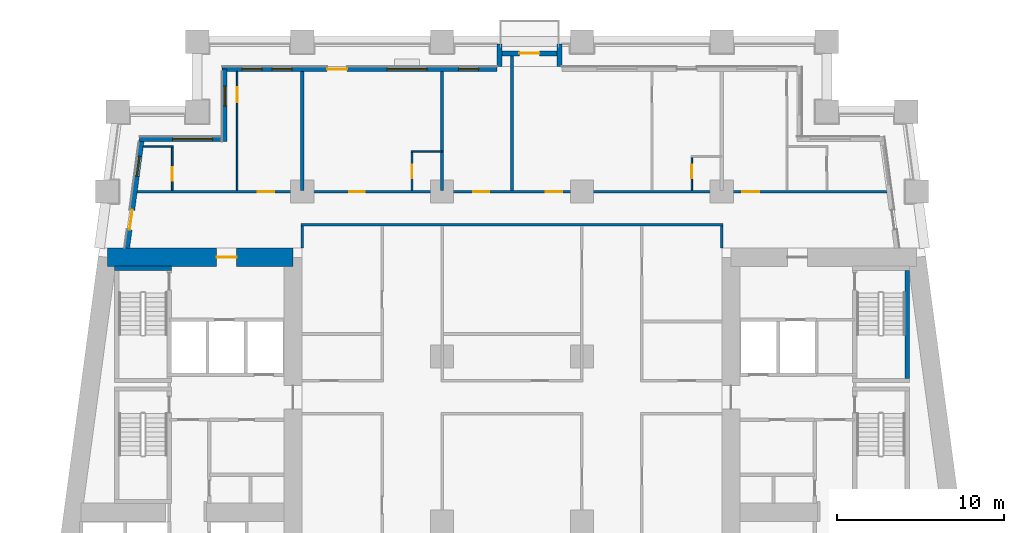
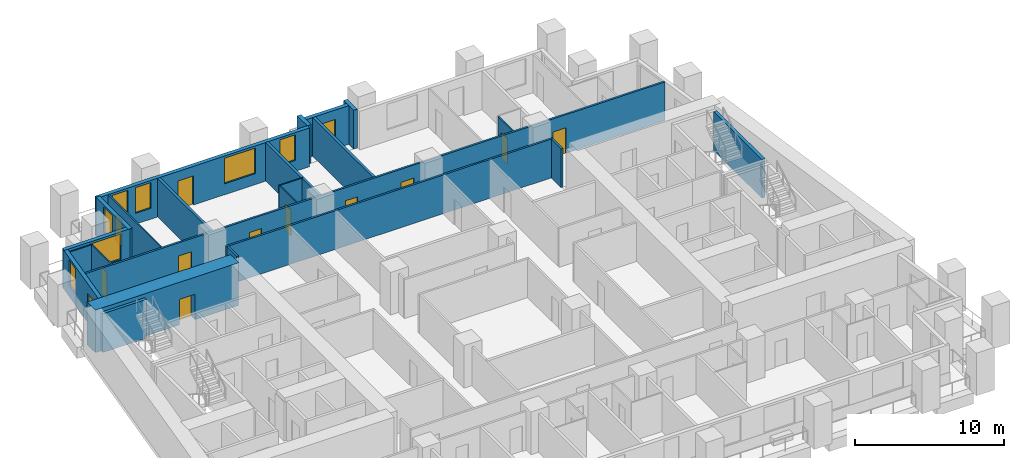
# One storey, part 6 of 12: 23 walls, 13 doors, 7 windows, 20 openings.
"""IFC4 building model written with IfcOpenShell, lengths in metres."""

from ifc_helpers import new_model, si_unit, direction, frame, frame_2d, origin, place, context, subcontext, project, spatial, rectangle, extrude, material, layer, layer_set, type_object, element, fill, save


model = new_model("IFC4")

# Units and contexts
model_context = context("Model", 3, precision=1e-05, world=origin(), true_north=direction((0.0, 1.0)))
body_context = subcontext(model_context, "Body", "Model", "MODEL_VIEW")
ifc_project = project(units=[si_unit("LENGTHUNIT", "METRE"), si_unit("AREAUNIT", "SQUARE_METRE"), si_unit("VOLUMEUNIT", "CUBIC_METRE"), si_unit("PLANEANGLEUNIT", "RADIAN"), si_unit("MASSUNIT", "GRAM", prefix="KILO")], contexts=[model_context])

# Site, building, storey
site_placement = place(None, origin())
site = spatial("IfcSite", under=ifc_project, at=site_placement, CompositionType="ELEMENT")
building_placement = place(site_placement, origin())
building = spatial("IfcBuilding", under=site, at=building_placement, Name="Candeia Pilgrim Tower and Theatre", CompositionType="ELEMENT")
storey_placement = place(building_placement, frame((0.0, 0.0, 42.5)))
storey = spatial("IfcBuildingStorey", under=building, at=storey_placement, Name="L07", CompositionType="ELEMENT", Elevation=42.5)

# Wall, opening, door
ifc_material_1 = material(Name="Concrete C80/95", Category="concrete")
ifc_layer_1 = layer(ifc_material_1, 1.10009765625)
ifc_layer_set_1 = layer_set([ifc_layer_1], Name="Core wall 1100 C80/95")
wall_type_1 = type_object("IfcWallType", Name="Core wall 1100 C80/95", PredefinedType="SHEAR", material=ifc_layer_set_1)
wall_1_placement = place(storey_placement, frame((89.111572265625, 131.85009765625, 0.0), z_axis=(0.0, 0.0, 1.0), x_axis=(1.0, 0.0, 0.0)))
wall_1 = element("IfcWall", 1, at=wall_1_placement, inside=storey, type_object=wall_type_1, Name="Core wall W1", PredefinedType="SHEAR", context=body_context, shape_type="SweptSolid", body=[
    extrude(rectangle(XDim=11.138427734375, YDim=1.10009765625, at=frame_2d((5.5693359375, 0.0))), origin(), (0.0, 0.0, 1.0), 3.5),
])
opening_1_placement = place(wall_1_placement, frame((6.5517578125, 0.0, 0.0)))
opening_1 = element("IfcOpeningElement", 2, at=opening_1_placement, cuts=wall_1, Name="Opening L07-D056", PredefinedType="OPENING", context=body_context, shape_type="SweptSolid", body=[
    extrude(rectangle(XDim=1.199951171875, YDim=2.10009765625, at=frame_2d((0.60009765625, 1.050048828125))), frame((0.0, 0.56005859375, 0.0), z_axis=(0.0, -1.0, 0.0), x_axis=(1.0, 0.0, 0.0)), (0.0, 0.0, 1.0), 1.1201171875),
])
ifc_material_2 = material(Name="Steel fire door set", Category="steel")
door_type_1 = type_object("IfcDoorType", Name="D-1200-FD60", OperationType="NOTDEFINED", PredefinedType="DOOR", material=ifc_material_2)
door_1_placement = place(opening_1_placement, origin())
door_1 = element("IfcDoor", 3, at=door_1_placement, inside=storey, type_object=door_type_1, Name="Door L07-D056", OperationType="SINGLE_SWING_LEFT", OverallHeight=2.10009765625, OverallWidth=1.199951171875, PredefinedType="DOOR", context=body_context, shape_type="SweptSolid", body=[
    extrude(rectangle(XDim=1.199951171875, YDim=2.10009765625, at=frame_2d((0.60009765625, 1.050048828125))), frame((0.0, 0.02490234375, 0.0), z_axis=(0.0, -1.0, 0.0), x_axis=(1.0, 0.0, 0.0)), (0.0, 0.0, 1.0), 0.050048828125),
])
fill(opening_1, door_1)

# Wall, openings, door, windows
ifc_material_3 = material(Name="Ceramic block masonry", Category="masonry")
ifc_layer_2 = layer(ifc_material_3, 0.300048828125)
ifc_layer_set_2 = layer_set([ifc_layer_2], Name="EW1 glazing-line wall 300")
wall_type_2 = type_object("IfcWallType", Name="EW1 glazing-line wall 300", PredefinedType="SOLIDWALL", material=ifc_layer_set_2)
wall_2_placement = place(storey_placement, frame((112.5, 143.14990234375, 0.0), z_axis=(0.0, 0.0, 1.0), x_axis=(-1.0, 0.0, 0.0)))
wall_2 = element("IfcWall", 4, at=wall_2_placement, inside=storey, type_object=wall_type_2, Name="External wall L07-6.1", PredefinedType="SOLIDWALL", context=body_context, shape_type="SweptSolid", body=[
    extrude(rectangle(XDim=16.5, YDim=0.300048828125, at=frame_2d((8.25, 0.0))), origin(), (0.0, 0.0, 1.0), 3.179931640625),
])
opening_2_placement = place(wall_2_placement, frame((1.10009765625, 0.0, 0.89990234375)))
opening_2 = element("IfcOpeningElement", 5, at=opening_2_placement, cuts=wall_2, Name="Opening W-B", PredefinedType="OPENING", context=body_context, shape_type="SweptSolid", body=[
    extrude(rectangle(XDim=1.199951171875, YDim=2.10009765625, at=frame_2d((0.60009765625, 1.050048828125))), frame((0.0, 0.16015625, 0.0), z_axis=(0.0, -1.0, 0.0), x_axis=(1.0, 0.0, 0.0)), (0.0, 0.0, 1.0), 0.320068359375),
])
opening_3_placement = place(wall_2_placement, frame((4.199951171875, 0.0, 0.89990234375)))
opening_3 = element("IfcOpeningElement", 6, at=opening_3_placement, cuts=wall_2, Name="Opening W-A", PredefinedType="OPENING", context=body_context, shape_type="SweptSolid", body=[
    extrude(rectangle(XDim=2.39990234375, YDim=2.10009765625, at=frame_2d((1.199951171875, 1.050048828125))), frame((0.0, 0.16015625, 0.0), z_axis=(0.0, -1.0, 0.0), x_axis=(1.0, 0.0, 0.0)), (0.0, 0.0, 1.0), 0.320068359375),
])
opening_4_placement = place(wall_2_placement, frame((9.0, 0.0, 0.0)))
opening_4 = element("IfcOpeningElement", 7, at=opening_4_placement, cuts=wall_2, Name="Opening L07-ED096", PredefinedType="OPENING", context=body_context, shape_type="SweptSolid", body=[
    extrude(rectangle(XDim=1.199951171875, YDim=2.39990234375, at=frame_2d((0.60009765625, 1.199951171875))), frame((0.0, 0.16015625, 0.0), z_axis=(0.0, -1.0, 0.0), x_axis=(1.0, 0.0, 0.0)), (0.0, 0.0, 1.0), 0.320068359375),
])
opening_5_placement = place(wall_2_placement, frame((12.300048828125, 0.0, 0.89990234375)))
opening_5 = element("IfcOpeningElement", 8, at=opening_5_placement, cuts=wall_2, Name="Opening W-B", PredefinedType="OPENING", context=body_context, shape_type="SweptSolid", body=[
    extrude(rectangle(XDim=1.199951171875, YDim=2.10009765625, at=frame_2d((0.60009765625, 1.050048828125))), frame((0.0, 0.16015625, 0.0), z_axis=(0.0, -1.0, 0.0), x_axis=(1.0, 0.0, 0.0)), (0.0, 0.0, 1.0), 0.320068359375),
])
opening_6_placement = place(wall_2_placement, frame((14.10009765625, 0.0, 0.89990234375)))
opening_6 = element("IfcOpeningElement", 9, at=opening_6_placement, cuts=wall_2, Name="Opening W-B", PredefinedType="OPENING", context=body_context, shape_type="SweptSolid", body=[
    extrude(rectangle(XDim=1.199951171875, YDim=2.10009765625, at=frame_2d((0.60009765625, 1.050048828125))), frame((0.0, 0.16015625, 0.0), z_axis=(0.0, -1.0, 0.0), x_axis=(1.0, 0.0, 0.0)), (0.0, 0.0, 1.0), 0.320068359375),
])
ifc_material_4 = material(Name="Aluminium framed glazed door", Category="aluminium")
door_type_2 = type_object("IfcDoorType", Name="Loggia door 1200x2400", OperationType="DOUBLE_DOOR_SINGLE_SWING", PredefinedType="DOOR", material=ifc_material_4)
door_2_placement = place(opening_4_placement, origin())
door_2 = element("IfcDoor", 10, at=door_2_placement, inside=storey, type_object=door_type_2, Name="Loggia door L07-ED096", OperationType="DOUBLE_DOOR_SINGLE_SWING", OverallHeight=2.39990234375, OverallWidth=1.199951171875, PredefinedType="DOOR", context=body_context, shape_type="SweptSolid", body=[
    extrude(rectangle(XDim=1.199951171875, YDim=2.39990234375, at=frame_2d((0.60009765625, 1.199951171875))), frame((0.0, 0.02490234375, 0.0), z_axis=(0.0, -1.0, 0.0), x_axis=(1.0, 0.0, 0.0)), (0.0, 0.0, 1.0), 0.050048828125),
])
fill(opening_4, door_2)
ifc_material_5 = material(Name="Aluminium framed double glazing", Category="aluminium")
window_type_1 = type_object("IfcWindowType", Name="W-A window 2400x2100", PartitioningType="DOUBLE_PANEL_VERTICAL", PredefinedType="WINDOW", material=ifc_material_5)
window_1_placement = place(opening_3_placement, origin())
window_1 = element("IfcWindow", 11, at=window_1_placement, inside=storey, type_object=window_type_1, Name="Window W-A L07", OverallHeight=2.10009765625, OverallWidth=2.39990234375, PartitioningType="SINGLE_PANEL", PredefinedType="WINDOW", context=body_context, shape_type="SweptSolid", body=[
    extrude(rectangle(XDim=2.39990234375, YDim=2.10009765625, at=frame_2d((1.199951171875, 1.050048828125))), frame((0.0, 0.030029296875, 0.0), z_axis=(0.0, -1.0, 0.0), x_axis=(1.0, 0.0, 0.0)), (0.0, 0.0, 1.0), 0.06005859375),
])
fill(opening_3, window_1)
window_type_2 = type_object("IfcWindowType", Name="W-B window 1200x2100", PartitioningType="SINGLE_PANEL", PredefinedType="WINDOW", material=ifc_material_5)
window_2_placement = place(opening_2_placement, origin())
window_2 = element("IfcWindow", 12, at=window_2_placement, inside=storey, type_object=window_type_2, Name="Window W-B L07", OverallHeight=2.10009765625, OverallWidth=1.199951171875, PartitioningType="SINGLE_PANEL", PredefinedType="WINDOW", context=body_context, shape_type="SweptSolid", body=[
    extrude(rectangle(XDim=1.199951171875, YDim=2.10009765625, at=frame_2d((0.60009765625, 1.050048828125))), frame((0.0, 0.030029296875, 0.0), z_axis=(0.0, -1.0, 0.0), x_axis=(1.0, 0.0, 0.0)), (0.0, 0.0, 1.0), 0.06005859375),
])
fill(opening_2, window_2)
window_3_placement = place(opening_5_placement, origin())
window_3 = element("IfcWindow", 13, at=window_3_placement, inside=storey, type_object=window_type_2, Name="Window W-B L07", OverallHeight=2.10009765625, OverallWidth=1.199951171875, PartitioningType="SINGLE_PANEL", PredefinedType="WINDOW", context=body_context, shape_type="SweptSolid", body=[
    extrude(rectangle(XDim=1.199951171875, YDim=2.10009765625, at=frame_2d((0.60009765625, 1.050048828125))), frame((0.0, 0.030029296875, 0.0), z_axis=(0.0, -1.0, 0.0), x_axis=(1.0, 0.0, 0.0)), (0.0, 0.0, 1.0), 0.06005859375),
])
fill(opening_5, window_3)
window_4_placement = place(opening_6_placement, origin())
window_4 = element("IfcWindow", 14, at=window_4_placement, inside=storey, type_object=window_type_2, Name="Window W-B L07", OverallHeight=2.10009765625, OverallWidth=1.199951171875, PartitioningType="SINGLE_PANEL", PredefinedType="WINDOW", context=body_context, shape_type="SweptSolid", body=[
    extrude(rectangle(XDim=1.199951171875, YDim=2.10009765625, at=frame_2d((0.60009765625, 1.050048828125))), frame((0.0, 0.030029296875, 0.0), z_axis=(0.0, -1.0, 0.0), x_axis=(1.0, 0.0, 0.0)), (0.0, 0.0, 1.0), 0.06005859375),
])
fill(opening_6, window_4)

# Wall, opening, window
wall_3_placement = place(storey_placement, frame((96.14990234375, 143.14990234375, 0.0), z_axis=(0.0, 0.0, 1.0), x_axis=(0.0, -1.0, 0.0)))
wall_3 = element("IfcWall", 15, at=wall_3_placement, inside=storey, type_object=wall_type_2, Name="External wall L07-7.0", PredefinedType="SOLIDWALL", context=body_context, shape_type="SweptSolid", body=[
    extrude(rectangle(XDim=4.349853515625, YDim=0.300048828125, at=frame_2d((2.1748046875, 0.0))), origin(), (0.0, 0.0, 1.0), 3.179931640625),
])
opening_7_placement = place(wall_3_placement, frame((1.02490234375, 0.0, 0.89990234375)))
opening_7 = element("IfcOpeningElement", 16, at=opening_7_placement, cuts=wall_3, Name="Opening W-B", PredefinedType="OPENING", context=body_context, shape_type="SweptSolid", body=[
    extrude(rectangle(XDim=1.199951171875, YDim=2.10009765625, at=frame_2d((0.60009765625, 1.050048828125))), frame((0.0, 0.16015625, 0.0), z_axis=(0.0, -1.0, 0.0), x_axis=(1.0, 0.0, 0.0)), (0.0, 0.0, 1.0), 0.320068359375),
])
window_5_placement = place(opening_7_placement, origin())
window_5 = element("IfcWindow", 17, at=window_5_placement, inside=storey, type_object=window_type_2, Name="Window W-B L07", OverallHeight=2.10009765625, OverallWidth=1.199951171875, PartitioningType="SINGLE_PANEL", PredefinedType="WINDOW", context=body_context, shape_type="SweptSolid", body=[
    extrude(rectangle(XDim=1.199951171875, YDim=2.10009765625, at=frame_2d((0.60009765625, 1.050048828125))), frame((0.0, 0.030029296875, 0.0), z_axis=(0.0, -1.0, 0.0), x_axis=(1.0, 0.0, 0.0)), (0.0, 0.0, 1.0), 0.06005859375),
])
fill(opening_7, window_5)

wall_4_placement = place(storey_placement, frame((96.14990234375, 138.949951171875, 0.0), z_axis=(0.0, 0.0, 1.0), x_axis=(-1.0, 0.0, 0.0)))
wall_4 = element("IfcWall", 18, at=wall_4_placement, inside=storey, type_object=wall_type_2, Name="External wall L07-8.0", PredefinedType="SOLIDWALL", context=body_context, shape_type="SweptSolid", body=[
    extrude(rectangle(XDim=5.103759765625, YDim=0.300048828125, at=frame_2d((2.5517578125, 0.0))), origin(), (0.0, 0.0, 1.0), 3.179931640625),
])
opening_8_placement = place(wall_4_placement, frame((0.72509765625, 0.0, 0.89990234375)))
opening_8 = element("IfcOpeningElement", 19, at=opening_8_placement, cuts=wall_4, Name="Opening W-A", PredefinedType="OPENING", context=body_context, shape_type="SweptSolid", body=[
    extrude(rectangle(XDim=2.39990234375, YDim=2.10009765625, at=frame_2d((1.199951171875, 1.050048828125))), frame((0.0, 0.16015625, 0.0), z_axis=(0.0, -1.0, 0.0), x_axis=(1.0, 0.0, 0.0)), (0.0, 0.0, 1.0), 0.320068359375),
])
window_6_placement = place(opening_8_placement, origin())
window_6 = element("IfcWindow", 20, at=window_6_placement, inside=storey, type_object=window_type_1, Name="Window W-A L07", OverallHeight=2.10009765625, OverallWidth=2.39990234375, PartitioningType="SINGLE_PANEL", PredefinedType="WINDOW", context=body_context, shape_type="SweptSolid", body=[
    extrude(rectangle(XDim=2.39990234375, YDim=2.10009765625, at=frame_2d((1.199951171875, 1.050048828125))), frame((0.0, 0.030029296875, 0.0), z_axis=(0.0, -1.0, 0.0), x_axis=(1.0, 0.0, 0.0)), (0.0, 0.0, 1.0), 0.06005859375),
])
fill(opening_8, window_6)

# Wall, openings, door, window
wall_5_placement = place(storey_placement, frame((91.177490234375, 138.949951171875, 0.0), z_axis=(0.0, 0.0, 1.0), x_axis=(-0.133426664613, -0.991058689065, 0.0)))
wall_5 = element("IfcWall", 21, at=wall_5_placement, inside=storey, type_object=wall_type_2, Name="External wall L07-9.0", PredefinedType="SOLIDWALL", context=body_context, shape_type="SweptSolid", body=[
    extrude(rectangle(XDim=6.609130859375, YDim=0.300048828125, at=frame_2d((3.3046875, 0.0))), origin(), (0.0, 0.0, 1.0), 3.179931640625),
])
opening_9_placement = place(wall_5_placement, frame((1.039306640625, 0.0, 0.89990234375)))
opening_9 = element("IfcOpeningElement", 22, at=opening_9_placement, cuts=wall_5, Name="Opening W-B", PredefinedType="OPENING", context=body_context, shape_type="SweptSolid", body=[
    extrude(rectangle(XDim=1.199951171875, YDim=2.10009765625, at=frame_2d((0.60009765625, 1.050048828125))), frame((0.0, 0.16015625, 0.0), z_axis=(0.0, -1.0, 0.0), x_axis=(1.0, 0.0, 0.0)), (0.0, 0.0, 1.0), 0.320068359375),
])
opening_10_placement = place(wall_5_placement, frame((4.293701171875, 0.0, 0.0)))
opening_10 = element("IfcOpeningElement", 23, at=opening_10_placement, cuts=wall_5, Name="Opening L07-ED098", PredefinedType="OPENING", context=body_context, shape_type="SweptSolid", body=[
    extrude(rectangle(XDim=1.199951171875, YDim=2.39990234375, at=frame_2d((0.60009765625, 1.199951171875))), frame((0.0, 0.16015625, 0.0), z_axis=(0.0, -1.0, 0.0), x_axis=(1.0, 0.0, 0.0)), (0.0, 0.0, 1.0), 0.320068359375),
])
door_3_placement = place(opening_10_placement, origin())
door_3 = element("IfcDoor", 24, at=door_3_placement, inside=storey, type_object=door_type_2, Name="Loggia door L07-ED098", OperationType="DOUBLE_DOOR_SINGLE_SWING", OverallHeight=2.39990234375, OverallWidth=1.199951171875, PredefinedType="DOOR", context=body_context, shape_type="SweptSolid", body=[
    extrude(rectangle(XDim=1.199951171875, YDim=2.39990234375, at=frame_2d((0.60009765625, 1.199951171875))), frame((0.0, 0.02490234375, 0.0), z_axis=(0.0, -1.0, 0.0), x_axis=(1.0, 0.0, 0.0)), (0.0, 0.0, 1.0), 0.050048828125),
])
fill(opening_10, door_3)
window_7_placement = place(opening_9_placement, origin())
window_7 = element("IfcWindow", 25, at=window_7_placement, inside=storey, type_object=window_type_2, Name="Window W-B L07", OverallHeight=2.10009765625, OverallWidth=1.199951171875, PartitioningType="SINGLE_PANEL", PredefinedType="WINDOW", context=body_context, shape_type="SweptSolid", body=[
    extrude(rectangle(XDim=1.199951171875, YDim=2.10009765625, at=frame_2d((0.60009765625, 1.050048828125))), frame((0.0, 0.030029296875, 0.0), z_axis=(0.0, -1.0, 0.0), x_axis=(1.0, 0.0, 0.0)), (0.0, 0.0, 1.0), 0.06005859375),
])
fill(opening_9, window_7)

# Walls
ifc_layer_3 = layer(ifc_material_3, 0.300048828125)
ifc_layer_set_3 = layer_set([ifc_layer_3], Name="EW2 entrance infill wall 300")
wall_type_3 = type_object("IfcWallType", Name="EW2 entrance infill wall 300", PredefinedType="SOLIDWALL", material=ifc_layer_set_3)
for number, where, z_axis, x_axis, name in (
    (26, (116.25, 143.300048828125, 0.0), (0.0, 0.0, 1.0), (0.0, 1.0, 0.0), "Alcove wall L07"),
    (27, (112.64990234375, 143.300048828125, 0.0), (0.0, 0.0, 1.0), (0.0, 1.0, 0.0), "Alcove wall L07"),
):
    element("IfcWall", number, at=place(storey_placement, frame(where, z_axis=z_axis, x_axis=x_axis)), inside=storey, type_object=wall_type_3, Name=name, PredefinedType="SOLIDWALL", context=body_context, shape_type="SweptSolid", body=[
        extrude(rectangle(XDim=1.349853515625, YDim=0.300048828125, at=frame_2d((0.6748046875, 0.0))), origin(), (0.0, 0.0, 1.0), 3.179931640625),
    ])

# Wall, opening, door
wall_6_placement = place(storey_placement, frame((116.39990234375, 144.10009765625, 0.0), z_axis=(0.0, 0.0, 1.0), x_axis=(-1.0, 0.0, 0.0)))
wall_6 = element("IfcWall", 28, at=wall_6_placement, inside=storey, type_object=wall_type_3, Name="Alcove wall L07", PredefinedType="SOLIDWALL", context=body_context, shape_type="SweptSolid", body=[
    extrude(rectangle(XDim=3.89990234375, YDim=0.300048828125, at=frame_2d((1.949951171875, 0.0))), origin(), (0.0, 0.0, 1.0), 3.179931640625),
])
opening_11_placement = place(wall_6_placement, frame((1.35009765625, 0.0, 0.0)))
opening_11 = element("IfcOpeningElement", 29, at=opening_11_placement, cuts=wall_6, Name="Opening L07-ED097", PredefinedType="OPENING", context=body_context, shape_type="SweptSolid", body=[
    extrude(rectangle(XDim=1.199951171875, YDim=2.39990234375, at=frame_2d((0.60009765625, 1.199951171875))), frame((0.0, 0.16015625, 0.0), z_axis=(0.0, -1.0, 0.0), x_axis=(1.0, 0.0, 0.0)), (0.0, 0.0, 1.0), 0.320068359375),
])
door_4_placement = place(opening_11_placement, origin())
door_4 = element("IfcDoor", 30, at=door_4_placement, inside=storey, type_object=door_type_2, Name="Balcony door L07-ED097", OperationType="DOUBLE_DOOR_SINGLE_SWING", OverallHeight=2.39990234375, OverallWidth=1.199951171875, PredefinedType="DOOR", context=body_context, shape_type="SweptSolid", body=[
    extrude(rectangle(XDim=1.199951171875, YDim=2.39990234375, at=frame_2d((0.60009765625, 1.199951171875))), frame((0.0, 0.02490234375, 0.0), z_axis=(0.0, -1.0, 0.0), x_axis=(1.0, 0.0, 0.0)), (0.0, 0.0, 1.0), 0.050048828125),
])
fill(opening_11, door_4)

# Walls
ifc_material_6 = material(Name="Gypsum board partition on steel studs", Category="steel")
ifc_layer_4 = layer(ifc_material_6, 0.10009765625)
ifc_layer_set_4 = layer_set([ifc_layer_4], Name="PW-100 room partition")
wall_type_4 = type_object("IfcWallType", Name="PW-100 room partition", PredefinedType="PARTITIONING", material=ifc_layer_set_4)
wall_7_placement = place(storey_placement, frame((107.35009765625, 138.199951171875, 0.0), z_axis=(0.0, 0.0, 1.0), x_axis=(1.0, 0.0, 0.0)))
element("IfcWall", 31, at=wall_7_placement, inside=storey, type_object=wall_type_4, Name="Room partition L07-048", PredefinedType="PARTITIONING", context=body_context, shape_type="SweptSolid", body=[
    extrude(rectangle(XDim=1.849853515625, YDim=0.10009765625, at=frame_2d((0.9248046875, 0.0))), origin(), (0.0, 0.0, 1.0), 3.179931640625),
])
wall_8_placement = place(storey_placement, frame((91.258056640625, 138.5, 0.0), z_axis=(0.0, 0.0, 1.0), x_axis=(1.0, 0.0, 0.0)))
element("IfcWall", 32, at=wall_8_placement, inside=storey, type_object=wall_type_4, Name="Room partition L07-049", PredefinedType="PARTITIONING", context=body_context, shape_type="SweptSolid", body=[
    extrude(rectangle(XDim=1.7919921875, YDim=0.10009765625, at=frame_2d((0.89599609375, 0.0))), origin(), (0.0, 0.0, 1.0), 3.179931640625),
])

# Wall, opening, door
wall_9_placement = place(storey_placement, frame((93.0, 135.875, 0.0), z_axis=(0.0, 0.0, 1.0), x_axis=(0.0, 1.0, 0.0)))
wall_9 = element("IfcWall", 33, at=wall_9_placement, inside=storey, type_object=wall_type_4, Name="Room partition L07-063", PredefinedType="PARTITIONING", context=body_context, shape_type="SweptSolid", body=[
    extrude(rectangle(XDim=2.574951171875, YDim=0.10009765625, at=frame_2d((1.28759765625, 0.0))), origin(), (0.0, 0.0, 1.0), 3.179931640625),
])
opening_12_placement = place(wall_9_placement, frame((0.574951171875, 0.0, 0.0)))
opening_12 = element("IfcOpeningElement", 34, at=opening_12_placement, cuts=wall_9, Name="Opening L07-D033", PredefinedType="OPENING", context=body_context, shape_type="SweptSolid", body=[
    extrude(rectangle(XDim=0.800048828125, YDim=2.10009765625, at=frame_2d((0.39990234375, 1.050048828125))), frame((0.0, 0.06005859375, 0.0), z_axis=(0.0, -1.0, 0.0), x_axis=(1.0, 0.0, 0.0)), (0.0, 0.0, 1.0), 0.1201171875),
])
ifc_material_7 = material(Name="Timber door leaf", Category="wood")
door_type_3 = type_object("IfcDoorType", Name="D-800", OperationType="NOTDEFINED", PredefinedType="DOOR", material=ifc_material_7)
door_5_placement = place(opening_12_placement, origin())
door_5 = element("IfcDoor", 35, at=door_5_placement, inside=storey, type_object=door_type_3, Name="Door L07-D033", OperationType="SINGLE_SWING_RIGHT", OverallHeight=2.10009765625, OverallWidth=0.800048828125, PredefinedType="DOOR", context=body_context, shape_type="SweptSolid", body=[
    extrude(rectangle(XDim=0.800048828125, YDim=2.10009765625, at=frame_2d((0.39990234375, 1.050048828125))), frame((0.0, 0.02490234375, 0.0), z_axis=(0.0, -1.0, 0.0), x_axis=(1.0, 0.0, 0.0)), (0.0, 0.0, 1.0), 0.050048828125),
])
fill(opening_12, door_5)

wall_10_placement = place(storey_placement, frame((96.89990234375, 135.875, 0.0), z_axis=(0.0, 0.0, 1.0), x_axis=(0.0, 1.0, 0.0)))
wall_10 = element("IfcWall", 36, at=wall_10_placement, inside=storey, type_object=wall_type_4, Name="Room partition L07-069", PredefinedType="PARTITIONING", context=body_context, shape_type="SweptSolid", body=[
    extrude(rectangle(XDim=7.135009765625, YDim=0.10009765625, at=frame_2d((3.5673828125, 0.0))), origin(), (0.0, 0.0, 1.0), 3.179931640625),
])
opening_13_placement = place(wall_10_placement, frame((5.2900390625, 0.0, 0.0)))
opening_13 = element("IfcOpeningElement", 37, at=opening_13_placement, cuts=wall_10, Name="Opening L07-D032", PredefinedType="OPENING", context=body_context, shape_type="SweptSolid", body=[
    extrude(rectangle(XDim=0.89990234375, YDim=2.10009765625, at=frame_2d((0.449951171875, 1.050048828125))), frame((0.0, 0.06005859375, 0.0), z_axis=(0.0, -1.0, 0.0), x_axis=(1.0, 0.0, 0.0)), (0.0, 0.0, 1.0), 0.1201171875),
])
door_type_4 = type_object("IfcDoorType", Name="D-900", OperationType="NOTDEFINED", PredefinedType="DOOR", material=ifc_material_7)
door_6_placement = place(opening_13_placement, origin())
door_6 = element("IfcDoor", 38, at=door_6_placement, inside=storey, type_object=door_type_4, Name="Door L07-D032", OperationType="SINGLE_SWING_LEFT", OverallHeight=2.10009765625, OverallWidth=0.89990234375, PredefinedType="DOOR", context=body_context, shape_type="SweptSolid", body=[
    extrude(rectangle(XDim=0.89990234375, YDim=2.10009765625, at=frame_2d((0.449951171875, 1.050048828125))), frame((0.0, 0.02490234375, 0.0), z_axis=(0.0, -1.0, 0.0), x_axis=(1.0, 0.0, 0.0)), (0.0, 0.0, 1.0), 0.050048828125),
])
fill(opening_13, door_6)

wall_11_placement = place(storey_placement, frame((107.39990234375, 135.875, 0.0), z_axis=(0.0, 0.0, 1.0), x_axis=(0.0, 1.0, 0.0)))
wall_11 = element("IfcWall", 39, at=wall_11_placement, inside=storey, type_object=wall_type_4, Name="Room partition L07-080", PredefinedType="PARTITIONING", context=body_context, shape_type="SweptSolid", body=[
    extrude(rectangle(XDim=2.27490234375, YDim=0.10009765625, at=frame_2d((1.137451171875, 0.0))), origin(), (0.0, 0.0, 1.0), 3.179931640625),
])
opening_14_placement = place(wall_11_placement, frame((0.72509765625, 0.0, 0.0)))
opening_14 = element("IfcOpeningElement", 40, at=opening_14_placement, cuts=wall_11, Name="Opening L07-D035", PredefinedType="OPENING", context=body_context, shape_type="SweptSolid", body=[
    extrude(rectangle(XDim=0.800048828125, YDim=2.10009765625, at=frame_2d((0.39990234375, 1.050048828125))), frame((0.0, 0.06005859375, 0.0), z_axis=(0.0, -1.0, 0.0), x_axis=(1.0, 0.0, 0.0)), (0.0, 0.0, 1.0), 0.1201171875),
])
door_7_placement = place(opening_14_placement, origin())
door_7 = element("IfcDoor", 41, at=door_7_placement, inside=storey, type_object=door_type_3, Name="Door L07-D035", OperationType="SINGLE_SWING_RIGHT", OverallHeight=2.10009765625, OverallWidth=0.800048828125, PredefinedType="DOOR", context=body_context, shape_type="SweptSolid", body=[
    extrude(rectangle(XDim=0.800048828125, YDim=2.10009765625, at=frame_2d((0.39990234375, 1.050048828125))), frame((0.0, 0.02490234375, 0.0), z_axis=(0.0, -1.0, 0.0), x_axis=(1.0, 0.0, 0.0)), (0.0, 0.0, 1.0), 0.050048828125),
])
fill(opening_14, door_7)

wall_12_placement = place(storey_placement, frame((124.199951171875, 135.875, 0.0), z_axis=(0.0, 0.0, 1.0), x_axis=(0.0, 1.0, 0.0)))
wall_12 = element("IfcWall", 42, at=wall_12_placement, inside=storey, type_object=wall_type_4, Name="Room partition L07-097", PredefinedType="PARTITIONING", context=body_context, shape_type="SweptSolid", body=[
    extrude(rectangle(XDim=1.97509765625, YDim=0.10009765625, at=frame_2d((0.987548828125, 0.0))), origin(), (0.0, 0.0, 1.0), 3.179931640625),
])
opening_15_placement = place(wall_12_placement, frame((0.72509765625, 0.0, 0.0)))
opening_15 = element("IfcOpeningElement", 43, at=opening_15_placement, cuts=wall_12, Name="Opening L07-D039", PredefinedType="OPENING", context=body_context, shape_type="SweptSolid", body=[
    extrude(rectangle(XDim=0.800048828125, YDim=2.10009765625, at=frame_2d((0.39990234375, 1.050048828125))), frame((0.0, 0.06005859375, 0.0), z_axis=(0.0, -1.0, 0.0), x_axis=(1.0, 0.0, 0.0)), (0.0, 0.0, 1.0), 0.1201171875),
])
door_8_placement = place(opening_15_placement, origin())
door_8 = element("IfcDoor", 44, at=door_8_placement, inside=storey, type_object=door_type_3, Name="Door L07-D039", OperationType="SINGLE_SWING_RIGHT", OverallHeight=2.10009765625, OverallWidth=0.800048828125, PredefinedType="DOOR", context=body_context, shape_type="SweptSolid", body=[
    extrude(rectangle(XDim=0.800048828125, YDim=2.10009765625, at=frame_2d((0.39990234375, 1.050048828125))), frame((0.0, 0.02490234375, 0.0), z_axis=(0.0, -1.0, 0.0), x_axis=(1.0, 0.0, 0.0)), (0.0, 0.0, 1.0), 0.050048828125),
])
fill(opening_15, door_8)

# Wall
ifc_layer_5 = layer(ifc_material_6, 0.14990234375)
ifc_layer_set_5 = layer_set([ifc_layer_5], Name="PW-150 unit wall")
wall_type_5 = type_object("IfcWallType", Name="PW-150 unit wall", PredefinedType="PARTITIONING", material=ifc_layer_set_5)
wall_13_placement = place(storey_placement, frame((100.72509765625, 133.800048828125, 0.0), z_axis=(0.0, 0.0, 1.0), x_axis=(1.0, 0.0, 0.0)))
element("IfcWall", 45, at=wall_13_placement, inside=storey, type_object=wall_type_5, Name="Unit wall L07-045", PredefinedType="PARTITIONING", context=body_context, shape_type="SweptSolid", body=[
    extrude(rectangle(XDim=25.349853515625, YDim=0.14990234375, at=frame_2d((12.6748046875, 0.0))), origin(), (0.0, 0.0, 1.0), 3.179931640625),
])

# Wall, openings, doors
wall_14_placement = place(storey_placement, frame((90.89453125, 135.800048828125, 0.0), z_axis=(0.0, 0.0, 1.0), x_axis=(1.0, 0.0, 0.0)))
wall_14 = element("IfcWall", 46, at=wall_14_placement, inside=storey, type_object=wall_type_5, Name="Unit wall L07-046", PredefinedType="PARTITIONING", context=body_context, shape_type="SweptSolid", body=[
    extrude(rectangle(XDim=45.010986328125, YDim=0.14990234375, at=frame_2d((22.50537109375, 0.0))), origin(), (0.0, 0.0, 1.0), 3.179931640625),
])
opening_16_placement = place(wall_14_placement, frame((7.2353515625, 0.0, 0.0)))
opening_16 = element("IfcOpeningElement", 47, at=opening_16_placement, cuts=wall_14, Name="Opening L07-D031", PredefinedType="OPENING", context=body_context, shape_type="SweptSolid", body=[
    extrude(rectangle(XDim=1.0, YDim=2.10009765625, at=frame_2d((0.5, 1.050048828125))), frame((0.0, 0.0849609375, 0.0), z_axis=(0.0, -1.0, 0.0), x_axis=(1.0, 0.0, 0.0)), (0.0, 0.0, 1.0), 0.169921875),
])
opening_17_placement = place(wall_14_placement, frame((12.73046875, 0.0, 0.0)))
opening_17 = element("IfcOpeningElement", 48, at=opening_17_placement, cuts=wall_14, Name="Opening L07-D034", PredefinedType="OPENING", context=body_context, shape_type="SweptSolid", body=[
    extrude(rectangle(XDim=0.949951171875, YDim=2.10009765625, at=frame_2d((0.47509765625, 1.050048828125))), frame((0.0, 0.0849609375, 0.0), z_axis=(0.0, -1.0, 0.0), x_axis=(1.0, 0.0, 0.0)), (0.0, 0.0, 1.0), 0.169921875),
])
opening_18_placement = place(wall_14_placement, frame((20.185302734375, 0.0, 0.0)))
opening_18 = element("IfcOpeningElement", 49, at=opening_18_placement, cuts=wall_14, Name="Opening L07-D036", PredefinedType="OPENING", context=body_context, shape_type="SweptSolid", body=[
    extrude(rectangle(XDim=0.949951171875, YDim=2.10009765625, at=frame_2d((0.47509765625, 1.050048828125))), frame((0.0, 0.0849609375, 0.0), z_axis=(0.0, -1.0, 0.0), x_axis=(1.0, 0.0, 0.0)), (0.0, 0.0, 1.0), 0.169921875),
])
opening_19_placement = place(wall_14_placement, frame((24.530517578125, 0.0, 0.0)))
opening_19 = element("IfcOpeningElement", 50, at=opening_19_placement, cuts=wall_14, Name="Opening L07-D037", PredefinedType="OPENING", context=body_context, shape_type="SweptSolid", body=[
    extrude(rectangle(XDim=1.0, YDim=2.10009765625, at=frame_2d((0.5, 1.050048828125))), frame((0.0, 0.0849609375, 0.0), z_axis=(0.0, -1.0, 0.0), x_axis=(1.0, 0.0, 0.0)), (0.0, 0.0, 1.0), 0.169921875),
])
opening_20_placement = place(wall_14_placement, frame((36.33544921875, 0.0, 0.0)))
opening_20 = element("IfcOpeningElement", 51, at=opening_20_placement, cuts=wall_14, Name="Opening L07-D040", PredefinedType="OPENING", context=body_context, shape_type="SweptSolid", body=[
    extrude(rectangle(XDim=1.0, YDim=2.10009765625, at=frame_2d((0.5, 1.050048828125))), frame((0.0, 0.0849609375, 0.0), z_axis=(0.0, -1.0, 0.0), x_axis=(1.0, 0.0, 0.0)), (0.0, 0.0, 1.0), 0.169921875),
])
door_type_5 = type_object("IfcDoorType", Name="D-1000-FD30S", OperationType="NOTDEFINED", PredefinedType="DOOR", material=ifc_material_2)
door_9_placement = place(opening_16_placement, origin())
door_9 = element("IfcDoor", 52, at=door_9_placement, inside=storey, type_object=door_type_5, Name="Door L07-D031", OperationType="SINGLE_SWING_RIGHT", OverallHeight=2.10009765625, OverallWidth=1.0, PredefinedType="DOOR", context=body_context, shape_type="SweptSolid", body=[
    extrude(rectangle(XDim=1.0, YDim=2.10009765625, at=frame_2d((0.5, 1.050048828125))), frame((0.0, 0.02490234375, 0.0), z_axis=(0.0, -1.0, 0.0), x_axis=(1.0, 0.0, 0.0)), (0.0, 0.0, 1.0), 0.050048828125),
])
fill(opening_16, door_9)
door_10_placement = place(opening_19_placement, origin())
door_10 = element("IfcDoor", 53, at=door_10_placement, inside=storey, type_object=door_type_5, Name="Door L07-D037", OperationType="SINGLE_SWING_RIGHT", OverallHeight=2.10009765625, OverallWidth=1.0, PredefinedType="DOOR", context=body_context, shape_type="SweptSolid", body=[
    extrude(rectangle(XDim=1.0, YDim=2.10009765625, at=frame_2d((0.5, 1.050048828125))), frame((0.0, 0.02490234375, 0.0), z_axis=(0.0, -1.0, 0.0), x_axis=(1.0, 0.0, 0.0)), (0.0, 0.0, 1.0), 0.050048828125),
])
fill(opening_19, door_10)
door_11_placement = place(opening_20_placement, origin())
door_11 = element("IfcDoor", 54, at=door_11_placement, inside=storey, type_object=door_type_5, Name="Door L07-D040", OperationType="SINGLE_SWING_LEFT", OverallHeight=2.10009765625, OverallWidth=1.0, PredefinedType="DOOR", context=body_context, shape_type="SweptSolid", body=[
    extrude(rectangle(XDim=1.0, YDim=2.10009765625, at=frame_2d((0.5, 1.050048828125))), frame((0.0, 0.02490234375, 0.0), z_axis=(0.0, -1.0, 0.0), x_axis=(1.0, 0.0, 0.0)), (0.0, 0.0, 1.0), 0.050048828125),
])
fill(opening_20, door_11)
door_type_6 = type_object("IfcDoorType", Name="D-950-FD30S", OperationType="NOTDEFINED", PredefinedType="DOOR", material=ifc_material_2)
door_12_placement = place(opening_17_placement, origin())
door_12 = element("IfcDoor", 55, at=door_12_placement, inside=storey, type_object=door_type_6, Name="Door L07-D034", OperationType="SINGLE_SWING_LEFT", OverallHeight=2.10009765625, OverallWidth=0.949951171875, PredefinedType="DOOR", context=body_context, shape_type="SweptSolid", body=[
    extrude(rectangle(XDim=0.949951171875, YDim=2.10009765625, at=frame_2d((0.47509765625, 1.050048828125))), frame((0.0, 0.02490234375, 0.0), z_axis=(0.0, -1.0, 0.0), x_axis=(1.0, 0.0, 0.0)), (0.0, 0.0, 1.0), 0.050048828125),
])
fill(opening_17, door_12)
door_13_placement = place(opening_18_placement, origin())
door_13 = element("IfcDoor", 56, at=door_13_placement, inside=storey, type_object=door_type_6, Name="Door L07-D036", OperationType="SINGLE_SWING_LEFT", OverallHeight=2.10009765625, OverallWidth=0.949951171875, PredefinedType="DOOR", context=body_context, shape_type="SweptSolid", body=[
    extrude(rectangle(XDim=0.949951171875, YDim=2.10009765625, at=frame_2d((0.47509765625, 1.050048828125))), frame((0.0, 0.02490234375, 0.0), z_axis=(0.0, -1.0, 0.0), x_axis=(1.0, 0.0, 0.0)), (0.0, 0.0, 1.0), 0.050048828125),
])
fill(opening_18, door_13)

# Walls
for number, where, z_axis, x_axis, name in (
    (57, (100.800048828125, 132.39990234375, 0.0), (0.0, 0.0, 1.0), (0.0, 1.0, 0.0), "Unit wall L07-076"),
    (58, (126.0, 132.39990234375, 0.0), (0.0, 0.0, 1.0), (0.0, 1.0, 0.0), "Unit wall L07-100"),
):
    element("IfcWall", number, at=place(storey_placement, frame(where, z_axis=z_axis, x_axis=x_axis)), inside=storey, type_object=wall_type_5, Name=name, PredefinedType="PARTITIONING", context=body_context, shape_type="SweptSolid", body=[
        extrude(rectangle(XDim=1.3251953125, YDim=0.14990234375, at=frame_2d((0.66259765625, 0.0))), origin(), (0.0, 0.0, 1.0), 3.179931640625),
    ])
ifc_layer_6 = layer(ifc_material_6, 0.199951171875)
ifc_layer_set_6 = layer_set([ifc_layer_6], Name="PW-200 party wall")
wall_type_6 = type_object("IfcWallType", Name="PW-200 party wall", PredefinedType="PARTITIONING", material=ifc_layer_set_6)
for number, where, z_axis, x_axis, name in (
    (59, (100.800048828125, 135.875, 0.0), (0.0, 0.0, 1.0), (0.0, 1.0, 0.0), "Party wall L07-074"),
    (60, (109.199951171875, 135.875, 0.0), (0.0, 0.0, 1.0), (0.0, 1.0, 0.0), "Party wall L07-082"),
):
    element("IfcWall", number, at=place(storey_placement, frame(where, z_axis=z_axis, x_axis=x_axis)), inside=storey, type_object=wall_type_6, Name=name, PredefinedType="PARTITIONING", context=body_context, shape_type="SweptSolid", body=[
        extrude(rectangle(XDim=7.135009765625, YDim=0.199951171875, at=frame_2d((3.5673828125, 0.0))), origin(), (0.0, 0.0, 1.0), 3.179931640625),
    ])
wall_15_placement = place(storey_placement, frame((113.39990234375, 135.875, 0.0), z_axis=(0.0, 0.0, 1.0), x_axis=(0.0, 1.0, 0.0)))
element("IfcWall", 61, at=wall_15_placement, inside=storey, type_object=wall_type_6, Name="Party wall L07-087", PredefinedType="PARTITIONING", context=body_context, shape_type="SweptSolid", body=[
    extrude(rectangle(XDim=8.0849609375, YDim=0.199951171875, at=frame_2d((4.04248046875, 0.0))), origin(), (0.0, 0.0, 1.0), 3.179931640625),
])
ifc_material_8 = material(Name="Concrete C40/50", Category="concrete")
ifc_layer_7 = layer(ifc_material_8, 0.25)
ifc_layer_set_7 = layer_set([ifc_layer_7], Name="SW-250 stair wall")
wall_type_7 = type_object("IfcWallType", Name="SW-250 stair wall", PredefinedType="PARTITIONING", material=ifc_layer_set_7)
wall_16_placement = place(storey_placement, frame((89.552001953125, 131.199951171875, 0.0), z_axis=(0.0, 0.0, 1.0), x_axis=(1.0, 0.0, 0.0)))
element("IfcWall", 62, at=wall_16_placement, inside=storey, type_object=wall_type_7, Name="Stair wall L07-043", PredefinedType="PARTITIONING", context=body_context, shape_type="SweptSolid", body=[
    extrude(rectangle(XDim=3.39990234375, YDim=0.25, at=frame_2d((1.699951171875, 0.0))), origin(), (0.0, 0.0, 1.0), 3.179931640625),
])
wall_17_placement = place(storey_placement, frame((137.123046875, 124.574951171875, 0.0), z_axis=(0.0, 0.0, 1.0), x_axis=(0.0, 1.0, 0.0)))
element("IfcWall", 63, at=wall_17_placement, inside=storey, type_object=wall_type_7, Name="Stair wall L07-119", PredefinedType="PARTITIONING", context=body_context, shape_type="SweptSolid", body=[
    extrude(rectangle(XDim=6.5, YDim=0.25, at=frame_2d((3.25, 0.0))), origin(), (0.0, 0.0, 1.0), 3.179931640625),
])

save(model, "model.ifc")
